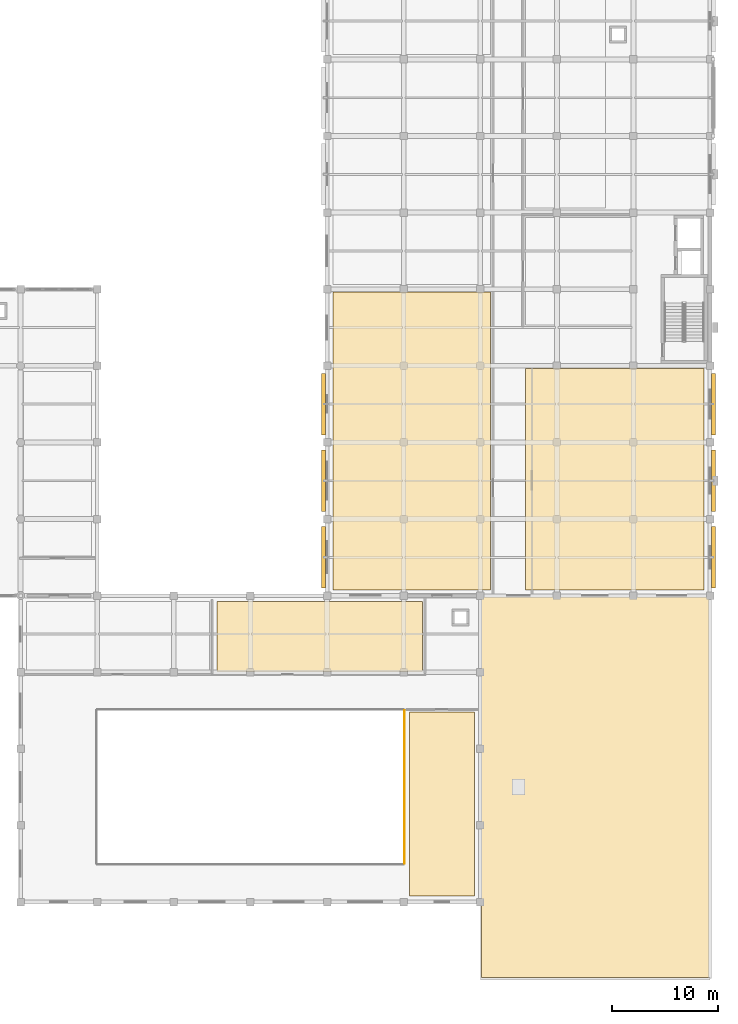
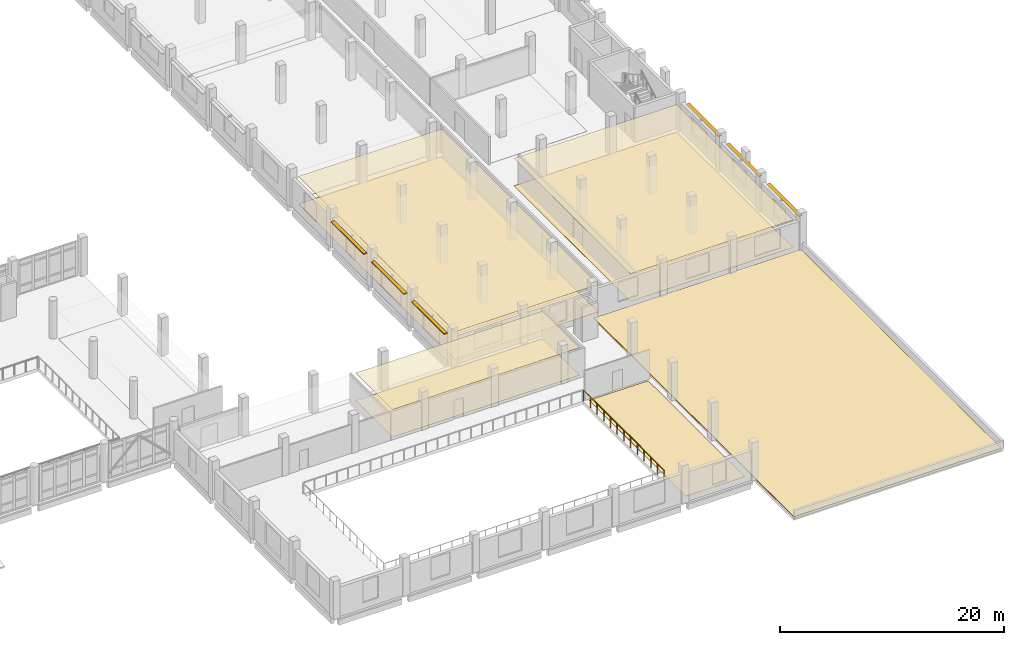
# One storey, part 55 of 57: 8 coverings, 6 shading devices, 1 railing.
"""IFC4 building model written with IfcOpenShell, lengths in metres."""

import ifcopenshell
import ifcopenshell.guid

model = None  # the IFC model being written
_history = None  # IfcOwnerHistory: only IFC2X3 demands one
_inside = {}  # id of a spatial element -> (the spatial element, [elements in it])
_under = {}  # id of a project, library or spatial element -> (it, [spatial elements below it])
_declared = {}  # id of a project -> (the project, [libraries it declares])
_typed = {}  # id of a type object -> (the type object, [elements of that type])
_made_of = {}  # id of a material, layer set ... -> (it, [elements and type objects made of it])


def new_model(schema):
    """Start an empty IFC model of exactly this schema.

    Asked for "IFC4X3", IfcOpenShell would pick the latest addendum, in which some entities
    have other attributes; the version numbers below select the first issue.
    IFC2X3 requires an IfcOwnerHistory on every rooted entity: one is made here for all.
    """
    global model, _history
    if schema == "IFC4X3":
        model = ifcopenshell.file(schema_version=(4, 3, 0, 0))
    else:
        model = ifcopenshell.file(schema=schema)
    _inside.clear()
    _under.clear()
    _declared.clear()
    _typed.clear()
    _made_of.clear()
    _history = None
    if model.schema == "IFC2X3":
        org = make("IfcOrganization", Name="unknown")
        user = make(
            "IfcPersonAndOrganization",
            ThePerson=make("IfcPerson", FamilyName="unknown"),
            TheOrganization=org,
        )
        app = make(
            "IfcApplication",
            ApplicationDeveloper=org,
            Version="unknown",
            ApplicationFullName="unknown",
            ApplicationIdentifier="unknown",
        )
        _history = make(
            "IfcOwnerHistory",
            OwningUser=user,
            OwningApplication=app,
            ChangeAction="ADDED",
            CreationDate=0,
        )
    return model


def make(cls, **values):
    """One entity of the class cls with the attributes given. An attribute that is None is left unset."""
    return model.create_entity(
        cls, **{name: value for name, value in values.items() if value is not None}
    )


def rooted(cls, **values):
    """An entity with a GlobalId (a new one), such as an element, a storey or a relation."""
    return make(cls, GlobalId=ifcopenshell.guid.new(), OwnerHistory=_history, **values)


def si_unit(unit_type, name, prefix=None):
    """IfcSIUnit, for example si_unit("LENGTHUNIT", "METRE", prefix="MILLI")."""
    return make("IfcSIUnit", UnitType=unit_type, Prefix=prefix, Name=name)


def assignment(units):
    """IfcUnitAssignment: the units of a project."""
    return None if units is None else make("IfcUnitAssignment", Units=units)


def point(xyz):
    """IfcCartesianPoint."""
    return None if xyz is None else make("IfcCartesianPoint", Coordinates=xyz)


def direction(xyz):
    """IfcDirection."""
    return None if xyz is None else make("IfcDirection", DirectionRatios=xyz)


def frame(location, z_axis=None, x_axis=None):
    """IfcAxis2Placement3D, a coordinate frame: its origin and axes. An axis left out is left unset."""
    return make(
        "IfcAxis2Placement3D",
        Location=point(location),
        Axis=direction(z_axis),
        RefDirection=direction(x_axis),
    )


def frame_2d(location, x_axis=None):
    """IfcAxis2Placement2D, a coordinate frame in the plane: its origin and x axis."""
    return make(
        "IfcAxis2Placement2D", Location=point(location), RefDirection=direction(x_axis)
    )


def origin():
    """The frame at (0, 0, 0) with its axes left unset."""
    return frame((0.0, 0.0, 0.0))


def origin_2d():
    """The frame at (0, 0) in the plane with its x axis left unset."""
    return frame_2d((0.0, 0.0))


def place(relative_to, where):
    """IfcLocalPlacement: puts the frame where relative to a parent placement (None: the world)."""
    return make(
        "IfcLocalPlacement", PlacementRelTo=relative_to, RelativePlacement=where
    )


def context(
    kind, dimensions, precision=None, world=None, true_north=None, identifier=None
):
    """IfcGeometricRepresentationContext, for example the 3D "Model" context."""
    return make(
        "IfcGeometricRepresentationContext",
        ContextIdentifier=identifier,
        ContextType=kind,
        CoordinateSpaceDimension=dimensions,
        Precision=precision,
        WorldCoordinateSystem=world,
        TrueNorth=true_north,
    )


def subcontext(parent, identifier, kind, view, scale=None):
    """IfcGeometricRepresentationSubContext, for example "Body" below "Model"."""
    return make(
        "IfcGeometricRepresentationSubContext",
        ContextIdentifier=identifier,
        ContextType=kind,
        ParentContext=parent,
        TargetScale=scale,
        TargetView=view,
    )


def project(units=None, contexts=None):
    """IfcProject with its units and contexts."""
    return rooted(
        "IfcProject",
        Name="project",
        RepresentationContexts=contexts,
        UnitsInContext=assignment(units),
    )


def spatial(cls, under=None, at=None, **own):
    """A site, building, storey or space (cls), placed at a placement, below another one or the project."""
    s = rooted(cls, ObjectPlacement=at, **own)
    if under is not None:
        _under.setdefault(under.id(), (under, []))[1].append(s)
    return s


def polyline(points):
    """IfcPolyline through the points."""
    return make("IfcPolyline", Points=[point(p) for p in points])


def profile(cls, at=None, kind="AREA", **sizes):
    """A parametric profile (cls). Its sizes go by their IFC names, for example OverallWidth=200.0."""
    return make(cls, ProfileType=kind, Position=at, **sizes)


def rectangle(**sizes):
    """IfcRectangleProfileDef."""
    return profile("IfcRectangleProfileDef", **sizes)


def circle(**sizes):
    """IfcCircleProfileDef."""
    return profile("IfcCircleProfileDef", **sizes)


def outline(outer, holes=None, kind="AREA"):
    """IfcArbitraryClosedProfileDef: a profile drawn as a closed curve; with holes, ...WithVoids."""
    if holes is None:
        return make("IfcArbitraryClosedProfileDef", ProfileType=kind, OuterCurve=outer)
    return make(
        "IfcArbitraryProfileDefWithVoids",
        ProfileType=kind,
        OuterCurve=outer,
        InnerCurves=holes,
    )


def extrude(swept, where, along, depth):
    """IfcExtrudedAreaSolid: the profile swept, set in the frame where, extruded along a direction by depth."""
    return make(
        "IfcExtrudedAreaSolid",
        SweptArea=swept,
        Position=where,
        ExtrudedDirection=direction(along),
        Depth=depth,
    )


def shape(context_of_items, identifier, shape_type, items):
    """IfcShapeRepresentation: the items that make up one representation, for example the "Body"."""
    return make(
        "IfcShapeRepresentation",
        ContextOfItems=context_of_items,
        RepresentationIdentifier=identifier,
        RepresentationType=shape_type,
        Items=items,
    )


def material(Name=None, Category=None):
    """IfcMaterial."""
    return make("IfcMaterial", Name=Name, Category=Category)


def layer(
    of_material, thickness, ventilated=None, Name=None, Category=None, Priority=None
):
    """IfcMaterialLayer: one layer of a wall or slab, of a material (None: an air gap)."""
    return make(
        "IfcMaterialLayer",
        Material=of_material,
        LayerThickness=thickness,
        IsVentilated=ventilated,
        Name=Name,
        Category=Category,
        Priority=Priority,
    )


def layer_set(layers, Name=None):
    """IfcMaterialLayerSet."""
    return make("IfcMaterialLayerSet", MaterialLayers=layers, LayerSetName=Name)


def made_of(thing, what):
    """Note that an element or type object is made of a material, layer set ...; save() writes the relation."""
    if what is not None:
        _made_of.setdefault(what.id(), (what, []))[1].append(thing)
    return thing


def type_object(cls, material=None, **own):
    """A type object (cls), such as IfcWallType, which elements share."""
    return made_of(rooted(cls, **own), material)


def element(
    cls,
    number,
    at=None,
    inside=None,
    cuts=None,
    type_object=None,
    material=None,
    context=None,
    identifier="Body",
    shape_type=None,
    held_by="IfcProductDefinitionShape",
    body=None,
    shapes=None,
    **own,
):
    """One element of the class cls, such as IfcWall. Its Tag is "e" and its number.

    at: its placement. inside: the storey or other place that contains it. cuts: it is an
    opening in that element (IfcRelVoidsElement). A single representation is given by context,
    identifier, shape_type and body (its items); several are given by shapes. held_by: the class
    of the entity that holds the representations. save() writes the other relations.
    """
    e = rooted(cls, Tag="e%d" % number, ObjectPlacement=at, **own)
    if body is not None:
        shapes = [shape(context, identifier, shape_type, body)]
    if shapes is not None:
        e.Representation = make(held_by, Representations=shapes)
    if inside is not None:
        _inside.setdefault(inside.id(), (inside, []))[1].append(e)
    if cuts is not None:
        rooted(
            "IfcRelVoidsElement", RelatingBuildingElement=cuts, RelatedOpeningElement=e
        )
    if type_object is not None:
        _typed.setdefault(type_object.id(), (type_object, []))[1].append(e)
    return made_of(e, material)


def aggregate(whole, parts):
    """IfcRelAggregates: a whole, such as a stair, and the parts it consists of."""
    return rooted("IfcRelAggregates", RelatingObject=whole, RelatedObjects=parts)


def save(model, path):
    """Write the relations noted so far, then the file.

    IfcRelAggregates (storeys below a building ...), IfcRelContainedInSpatialStructure (elements
    in a storey), IfcRelDefinesByType, IfcRelAssociatesMaterial and IfcRelDeclares: one each for
    every whole, place, type object, material and project.
    """
    for whole, parts in _under.values():
        aggregate(whole, parts)
    for where, things in _inside.values():
        rooted(
            "IfcRelContainedInSpatialStructure",
            RelatedElements=things,
            RelatingStructure=where,
        )
    for kind, things in _typed.values():
        rooted("IfcRelDefinesByType", RelatedObjects=things, RelatingType=kind)
    for what, things in _made_of.values():
        rooted("IfcRelAssociatesMaterial", RelatedObjects=things, RelatingMaterial=what)
    for by, libraries in _declared.values():
        rooted("IfcRelDeclares", RelatingContext=by, RelatedDefinitions=libraries)
    model.write(path)


model = new_model("IFC4")

# Units and contexts
model_context = context("Model", 3, precision=1e-05, world=origin(), true_north=direction((0.0, 1.0)))
body_context = subcontext(model_context, "Body", "Model", "MODEL_VIEW")
ifc_project = project(units=[si_unit("LENGTHUNIT", "METRE"), si_unit("AREAUNIT", "SQUARE_METRE"), si_unit("VOLUMEUNIT", "CUBIC_METRE"), si_unit("PLANEANGLEUNIT", "RADIAN"), si_unit("MASSUNIT", "GRAM", prefix="KILO")], contexts=[model_context])

# Site, building, storey
site_placement = place(None, origin())
site = spatial("IfcSite", under=ifc_project, at=site_placement, CompositionType="ELEMENT")
building_placement = place(site_placement, origin())
building = spatial("IfcBuilding", under=site, at=building_placement, Name="Valkovuoma Quantum and Materials Research Institute", CompositionType="ELEMENT")
storey_placement = place(building_placement, frame((0.0, 0.0, 4.800048828125)))
storey = spatial("IfcBuildingStorey", under=building, at=storey_placement, Name="L01", CompositionType="ELEMENT", Elevation=4.800048828125)

# Coverings
ifc_material_1 = material(Name="Cleanable acoustic mineral-fibre suspended ceiling", Category="masonry")
ifc_layer_1 = layer(ifc_material_1, 0.02490234375)
ifc_layer_set_1 = layer_set([ifc_layer_1], Name="Cleanable acoustic mineral-fibre suspended ceiling")
covering_type_1 = type_object("IfcCoveringType", Name="Cov-CEIL-01", PredefinedType="CEILING", material=ifc_layer_set_1)
covering_1_placement = place(storey_placement, frame((0.0, 0.0, 3.0)))
element("IfcCovering", 1, at=covering_1_placement, inside=storey, type_object=covering_type_1, Name="L01 acoustic ceiling 0034", PredefinedType="CEILING", context=body_context, shape_type="SweptSolid", body=[
    extrude(outline(polyline([(119.25, 28.85009765625), (138.550048828125, 28.85009765625), (138.550048828125, 35.449951171875), (119.25, 35.449951171875), (119.25, 28.85009765625)])), origin(), (0.0, 0.0, 1.0), 0.02490234375),
])
covering_2_placement = place(storey_placement, frame((0.0, 0.0, 3.0)))
element("IfcCovering", 2, at=covering_2_placement, inside=storey, type_object=covering_type_1, Name="L01 acoustic ceiling 0046", PredefinedType="CEILING", context=body_context, shape_type="SweptSolid", body=[
    extrude(outline(polyline([(130.14990234375, 36.550048828125), (144.949951171875, 36.550048828125), (144.949951171875, 64.550048828125), (130.14990234375, 64.550048828125), (130.14990234375, 36.550048828125)])), origin(), (0.0, 0.0, 1.0), 0.02490234375),
])
covering_3_placement = place(storey_placement, frame((0.0, 0.0, 3.0)))
element("IfcCovering", 3, at=covering_3_placement, inside=storey, type_object=covering_type_1, Name="L01 acoustic ceiling 0049", PredefinedType="CEILING", context=body_context, shape_type="SweptSolid", body=[
    extrude(outline(polyline([(148.25, 36.550048828125), (165.050048828125, 36.550048828125), (165.050048828125, 57.35009765625), (148.25, 57.35009765625), (148.25, 36.550048828125)])), origin(), (0.0, 0.0, 1.0), 0.02490234375),
])
ifc_material_2 = material(Name="Seamless dissipative laboratory resin flooring", Category="masonry")
ifc_layer_2 = layer(ifc_material_2, 0.014892578125)
ifc_layer_set_2 = layer_set([ifc_layer_2], Name="Seamless dissipative laboratory resin flooring")
covering_type_2 = type_object("IfcCoveringType", Name="Cov-FLOR-01", PredefinedType="FLOORING", material=ifc_layer_set_2)
covering_4_placement = place(storey_placement, origin())
element("IfcCovering", 4, at=covering_4_placement, inside=storey, type_object=covering_type_2, Name="L01 resin flooring 0034", PredefinedType="FLOORING", context=body_context, shape_type="SweptSolid", body=[
    extrude(outline(polyline([(119.25, 28.85009765625), (138.550048828125, 28.85009765625), (138.550048828125, 35.449951171875), (119.25, 35.449951171875), (119.25, 28.85009765625)])), origin(), (0.0, 0.0, 1.0), 0.014892578125),
])
covering_5_placement = place(storey_placement, origin())
element("IfcCovering", 5, at=covering_5_placement, inside=storey, type_object=covering_type_2, Name="L01 resin flooring 0035", PredefinedType="FLOORING", context=body_context, shape_type="SweptSolid", body=[
    extrude(outline(polyline([(137.35009765625, 7.75), (143.449951171875, 7.75), (143.449951171875, 25.050048828125), (137.35009765625, 25.050048828125), (137.35009765625, 7.75)])), origin(), (0.0, 0.0, 1.0), 0.014892578125),
])
covering_6_placement = place(storey_placement, origin())
element("IfcCovering", 6, at=covering_6_placement, inside=storey, type_object=covering_type_2, Name="L01 resin flooring 0046", PredefinedType="FLOORING", context=body_context, shape_type="SweptSolid", body=[
    extrude(outline(polyline([(130.14990234375, 36.550048828125), (144.949951171875, 36.550048828125), (144.949951171875, 64.550048828125), (130.14990234375, 64.550048828125), (130.14990234375, 36.550048828125)])), origin(), (0.0, 0.0, 1.0), 0.014892578125),
])
covering_7_placement = place(storey_placement, origin())
element("IfcCovering", 7, at=covering_7_placement, inside=storey, type_object=covering_type_2, Name="L01 resin flooring 0049", PredefinedType="FLOORING", context=body_context, shape_type="SweptSolid", body=[
    extrude(outline(polyline([(148.25, 36.550048828125), (165.050048828125, 36.550048828125), (165.050048828125, 57.35009765625), (148.25, 57.35009765625), (148.25, 36.550048828125)])), origin(), (0.0, 0.0, 1.0), 0.014892578125),
])
ifc_material_3 = material(Name="Standing-seam zinc and insulated snow-shedding roofing", Category="aluminium")
ifc_layer_3 = layer(ifc_material_3, 0.06005859375)
ifc_layer_set_3 = layer_set([ifc_layer_3], Name="Standing-seam zinc and insulated snow-shedding roofing")
covering_type_3 = type_object("IfcCoveringType", Name="Cov-ROOF-01", PredefinedType="ROOFING", material=ifc_layer_set_3)
covering_8_placement = place(storey_placement, origin())
element("IfcCovering", 8, at=covering_8_placement, inside=storey, type_object=covering_type_3, Name="L01 roof covering RFG-V4-DOCK", PredefinedType="ROOFING", context=body_context, shape_type="SweptSolid", body=[
    extrude(outline(polyline([(144.10009765625, 0.10009765625), (165.5, 0.10009765625), (165.5, 35.89990234375), (144.10009765625, 35.89990234375), (144.10009765625, 0.10009765625)])), origin(), (0.0, 0.0, 1.0), 0.06005859375),
])

# Railing
ifc_material_4 = material(Name="Hot-dip galvanised and powder-coated steel guardrail", Category="steel")
railing_type = type_object("IfcRailingType", Name="Rail-GRD-EXT", PredefinedType="BALUSTRADE", material=ifc_material_4)
railing_placement = place(storey_placement, frame((136.8798828125, 10.800048828125, 0.0)))
element("IfcRailing", 9, at=railing_placement, inside=storey, type_object=railing_type, Name="L01 lecture_void balustrade E", PredefinedType="BALUSTRADE", context=body_context, shape_type="SweptSolid", body=[
    extrude(circle(Radius=0.02392578125, at=origin_2d()), frame((0.0, 0.0, 1.17578125), z_axis=(0.0, 1.0, 0.0), x_axis=(-1.0, 0.0, 0.0)), (0.0, 0.0, 1.0), 14.39990234375),
    extrude(circle(Radius=0.02099609375, at=origin_2d()), origin(), (0.0, 0.0, 1.0), 1.15185546875),
    extrude(circle(Radius=0.02099609375, at=origin_2d()), frame((0.0, 1.199951171875, 0.0)), (0.0, 0.0, 1.0), 1.15185546875),
    extrude(circle(Radius=0.02099609375, at=origin_2d()), frame((0.0, 2.39990234375, 0.0)), (0.0, 0.0, 1.0), 1.15185546875),
    extrude(circle(Radius=0.02099609375, at=origin_2d()), frame((0.0, 3.60009765625, 0.0)), (0.0, 0.0, 1.0), 1.15185546875),
    extrude(circle(Radius=0.02099609375, at=origin_2d()), frame((0.0, 4.800048828125, 0.0)), (0.0, 0.0, 1.0), 1.15185546875),
    extrude(circle(Radius=0.02099609375, at=origin_2d()), frame((0.0, 6.0, 0.0)), (0.0, 0.0, 1.0), 1.15185546875),
    extrude(circle(Radius=0.02099609375, at=origin_2d()), frame((0.0, 7.199951171875, 0.0)), (0.0, 0.0, 1.0), 1.15185546875),
    extrude(circle(Radius=0.02099609375, at=origin_2d()), frame((0.0, 8.39990234375, 0.0)), (0.0, 0.0, 1.0), 1.15185546875),
    extrude(circle(Radius=0.02099609375, at=origin_2d()), frame((0.0, 9.599853515625, 0.0)), (0.0, 0.0, 1.0), 1.15185546875),
    extrude(circle(Radius=0.02099609375, at=origin_2d()), frame((0.0, 10.7998046875, 0.0)), (0.0, 0.0, 1.0), 1.15185546875),
    extrude(circle(Radius=0.02099609375, at=origin_2d()), frame((0.0, 12.0, 0.0)), (0.0, 0.0, 1.0), 1.15185546875),
    extrude(circle(Radius=0.02099609375, at=origin_2d()), frame((0.0, 13.199951171875, 0.0)), (0.0, 0.0, 1.0), 1.15185546875),
    extrude(circle(Radius=0.02099609375, at=origin_2d()), frame((0.0, 14.39990234375, 0.0)), (0.0, 0.0, 1.0), 1.15185546875),
])

# Shading devices
ifc_material_5 = material(Name="Powder-coated white perforated architectural aluminium panel", Category="aluminium")
ifc_layer_4 = layer(ifc_material_5, 0.050048828125)
ifc_layer_set_4 = layer_set([ifc_layer_4], Name="Powder-coated white perforated architectural aluminium panel")
shading_device_type_1 = type_object("IfcShadingDeviceType", Name="Screen-SCR-DENSE", PredefinedType="JALOUSIE", material=ifc_layer_set_4)
for number, where, z_axis, x_axis, name in (
    (10, (165.919921875, 39.60009765625, 3.010009765625), (0.0, 0.0, 1.0), (1.0, 0.0, 0.0), "L01 wet-lab solar sunshade E-0001"),
    (11, (129.280029296875, 39.60009765625, 3.010009765625), (0.0, 0.0, 1.0), (1.0, 0.0, 0.0), "L01 wet-lab solar sunshade W-0002"),
):
    element("IfcShadingDevice", number, at=place(storey_placement, frame(where, z_axis=z_axis, x_axis=x_axis)), inside=storey, type_object=shading_device_type_1, Name=name, PredefinedType="JALOUSIE", context=body_context, shape_type="SweptSolid", body=[
        extrude(rectangle(XDim=0.360107421875, YDim=5.800048828125, at=origin_2d()), origin(), (0.0, 0.0, 1.0), 0.080078125),
    ])
ifc_material_6 = material(Name="Powder-coated white perforated architectural aluminium panel", Category="aluminium")
ifc_layer_5 = layer(ifc_material_6, 0.050048828125)
ifc_layer_set_5 = layer_set([ifc_layer_5], Name="Powder-coated white perforated architectural aluminium panel")
shading_device_type_2 = type_object("IfcShadingDeviceType", Name="Screen-SCR-MID", PredefinedType="JALOUSIE", material=ifc_layer_set_5)
for number, where, z_axis, x_axis, name in (
    (12, (165.919921875, 46.800048828125, 3.010009765625), (0.0, 0.0, 1.0), (1.0, 0.0, 0.0), "L01 wet-lab solar sunshade E-0003"),
    (13, (129.280029296875, 46.800048828125, 3.010009765625), (0.0, 0.0, 1.0), (1.0, 0.0, 0.0), "L01 wet-lab solar sunshade W-0004"),
):
    element("IfcShadingDevice", number, at=place(storey_placement, frame(where, z_axis=z_axis, x_axis=x_axis)), inside=storey, type_object=shading_device_type_2, Name=name, PredefinedType="JALOUSIE", context=body_context, shape_type="SweptSolid", body=[
        extrude(rectangle(XDim=0.360107421875, YDim=5.800048828125, at=origin_2d()), origin(), (0.0, 0.0, 1.0), 0.080078125),
    ])
ifc_material_7 = material(Name="Powder-coated white perforated architectural aluminium panel", Category="aluminium")
ifc_layer_6 = layer(ifc_material_7, 0.050048828125)
ifc_layer_set_6 = layer_set([ifc_layer_6], Name="Powder-coated white perforated architectural aluminium panel")
shading_device_type_3 = type_object("IfcShadingDeviceType", Name="Screen-SCR-SPARSE", PredefinedType="JALOUSIE", material=ifc_layer_set_6)
for number, where, z_axis, x_axis, name in (
    (14, (165.919921875, 54.0, 3.010009765625), (0.0, 0.0, 1.0), (1.0, 0.0, 0.0), "L01 wet-lab solar sunshade E-0005"),
    (15, (129.280029296875, 54.0, 3.010009765625), (0.0, 0.0, 1.0), (1.0, 0.0, 0.0), "L01 wet-lab solar sunshade W-0006"),
):
    element("IfcShadingDevice", number, at=place(storey_placement, frame(where, z_axis=z_axis, x_axis=x_axis)), inside=storey, type_object=shading_device_type_3, Name=name, PredefinedType="JALOUSIE", context=body_context, shape_type="SweptSolid", body=[
        extrude(rectangle(XDim=0.360107421875, YDim=5.800048828125, at=origin_2d()), origin(), (0.0, 0.0, 1.0), 0.080078125),
    ])

save(model, "model.ifc")
